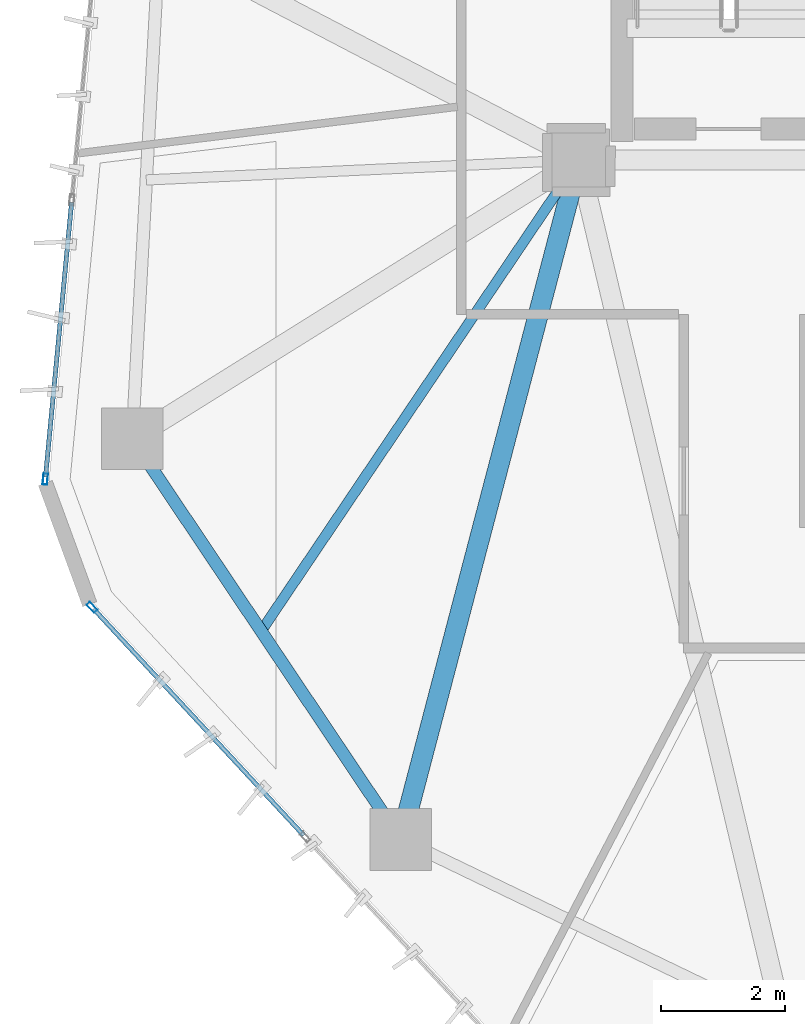
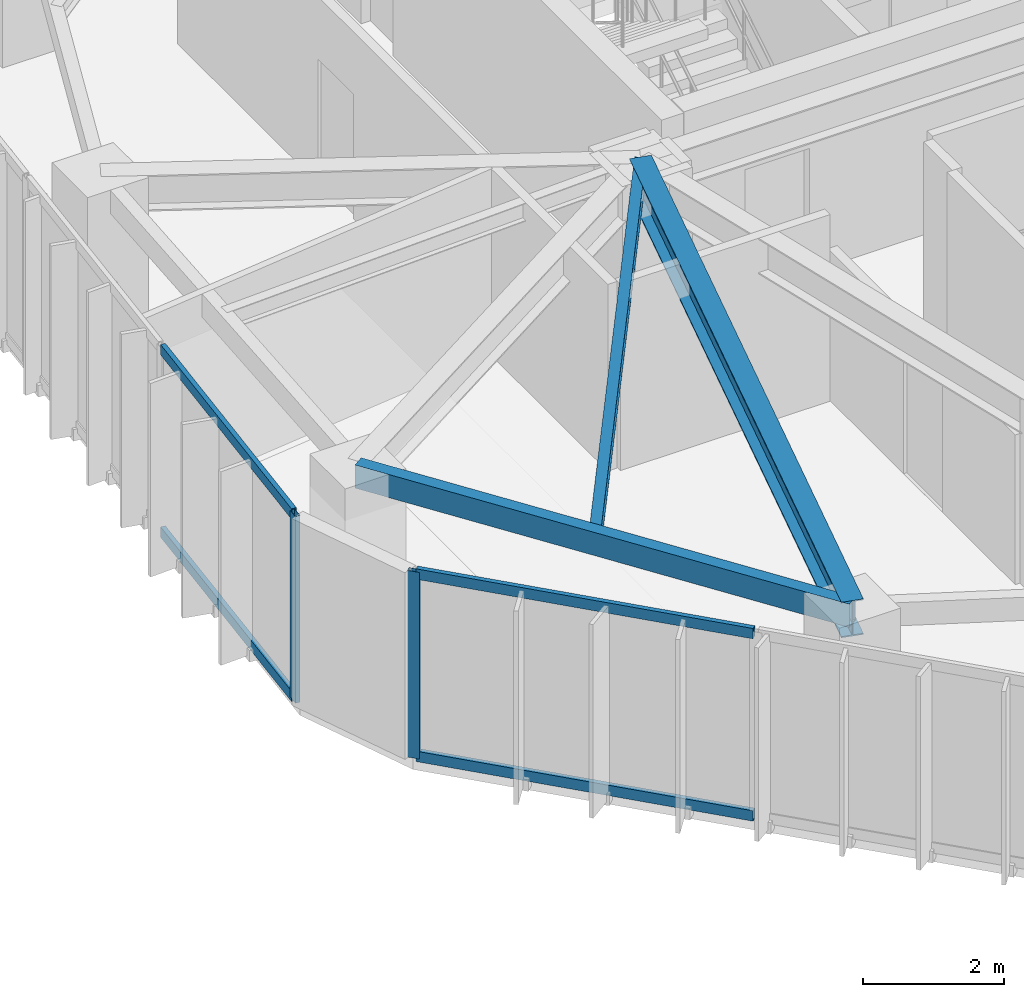
# One storey, part 3 of 20: 6 members, 3 beams, 2 elements without a shape of their own.
"""IFC4 building model written with IfcOpenShell, lengths in metres."""

from ifc_helpers import new_model, si_unit, direction, frame, origin, origin_2d, place, context, subcontext, project, spatial, hollow_rectangle, i_section, extrude, source, transform, mapped, material, layer, layer_set, material_profile, profile_set, type_object, type_shapes, element, aggregate, save


model = new_model("IFC4")

# Units and contexts
model_context = context("Model", 3, precision=1e-05, world=origin(), true_north=direction((0.0, 1.0)))
body_context = subcontext(model_context, "Body", "Model", "MODEL_VIEW")
ifc_project = project(units=[si_unit("LENGTHUNIT", "METRE"), si_unit("AREAUNIT", "SQUARE_METRE"), si_unit("VOLUMEUNIT", "CUBIC_METRE"), si_unit("PLANEANGLEUNIT", "RADIAN"), si_unit("MASSUNIT", "GRAM", prefix="KILO")], contexts=[model_context])

# Site, building, storey
site_placement = place(None, origin())
site = spatial("IfcSite", under=ifc_project, at=site_placement, CompositionType="ELEMENT")
building_placement = place(site_placement, origin())
building = spatial("IfcBuilding", under=site, at=building_placement, Name="Talar Marvaseh", CompositionType="ELEMENT")
storey_placement = place(building_placement, frame((0.0, 0.0, 211.699951171875)))
storey = spatial("IfcBuildingStorey", under=building, at=storey_placement, Name="L55", CompositionType="ELEMENT", Elevation=211.699951171875)

# Beams
ifc_material_1 = material(Name="Steel S355", Category="steel")
ifc_material_profile_1 = material_profile(ifc_material_1, hollow_rectangle(XDim=0.199951171875, YDim=0.39990234375, WallThickness=0.013916015625, at=origin_2d()), Name="RHS400x200x14")
ifc_profile_set_1 = profile_set([ifc_material_profile_1], Name="Steel S355")
beam_type_1 = type_object("IfcBeamType", Name="Zone 3 Perimeter Spandrel Beam RHS400x200x14", PredefinedType="SPANDREL", material=ifc_profile_set_1)
beam_1_placement = place(storey_placement, frame((15.819091796875, 14.5009765625, 3.030029296875), z_axis=(-0.556805579613, 0.830642851358, 0.0), x_axis=(-0.830642851358, -0.556805579613, 0.0)))
element("IfcBeam", 1, at=beam_1_placement, inside=storey, type_object=beam_type_1, Name="L55 Zone 3 Perimeter Spandrel Beam RHS400x200x14", PredefinedType="SPANDREL", context=body_context, shape_type="SweptSolid", body=[
    extrude(hollow_rectangle(XDim=0.199951171875, YDim=0.39990234375, WallThickness=0.013916015625, at=origin_2d()), origin(), (0.0, 0.0, 1.0), 7.807373046875),
])
ifc_material_profile_2 = material_profile(ifc_material_1, i_section(OverallWidth=0.324951171875, OverallDepth=0.615966796875, WebThickness=0.013916015625, FlangeThickness=0.021484375, at=origin_2d()), Name="W610x174")
ifc_profile_set_2 = profile_set([ifc_material_profile_2], Name="Steel S355")
beam_type_2 = type_object("IfcBeamType", Name="Zone 3 Radial Floor Girder W610x174", PredefinedType="BEAM", material=ifc_profile_set_2)
beam_2_placement = place(storey_placement, frame((15.819091796875, 14.5009765625, 2.922119140625), z_axis=(0.253372787776, 0.967368714821, 0.0), x_axis=(-0.967368714821, 0.253372787776, 0.0)))
element("IfcBeam", 2, at=beam_2_placement, inside=storey, type_object=beam_type_2, Name="L55 Zone 3 Radial Floor Girder W610x174", PredefinedType="BEAM", context=body_context, shape_type="SweptSolid", body=[
    extrude(i_section(OverallWidth=0.324951171875, OverallDepth=0.615966796875, WebThickness=0.013916015625, FlangeThickness=0.021484375, at=origin_2d()), origin(), (0.0, 0.0, 1.0), 11.3701171875),
])
ifc_material_profile_3 = material_profile(ifc_material_1, i_section(OverallWidth=0.166015625, OverallDepth=0.31298828125, WebThickness=0.006591796875, FlangeThickness=0.01123046875, at=origin_2d()), Name="W310x45")
ifc_profile_set_3 = profile_set([ifc_material_profile_3], Name="Steel S355")
beam_type_3 = type_object("IfcBeamType", Name="Zone 3 Secondary Floor Joist W310x45", PredefinedType="JOIST", material=ifc_profile_set_3)
beam_3_placement = place(storey_placement, frame((13.55859375, 17.873291015625, 3.073486328125), z_axis=(0.558974483718, 0.829184856683, 0.0), x_axis=(-0.829184856683, 0.558974483718, 0.0)))
element("IfcBeam", 3, at=beam_3_placement, inside=storey, type_object=beam_type_3, Name="L55 Zone 3 Secondary Floor Joist W310x45", PredefinedType="JOIST", context=body_context, shape_type="SweptSolid", body=[
    extrude(i_section(OverallWidth=0.166015625, OverallDepth=0.31298828125, WebThickness=0.006591796875, FlangeThickness=0.01123046875, at=origin_2d()), origin(), (0.0, 0.0, 1.0), 9.19775390625),
])

# Curtain wall, member
ifc_material_2 = material(Name="Architectural Aluminium", Category="aluminium")
ifc_layer = layer(ifc_material_2, 0.18994140625)
ifc_layer_set = layer_set([ifc_layer], Name="Architectural Aluminium")
curtain_wall_type = type_object("IfcCurtainWallType", Name="Unitised Solar Atelier Curtain Wall Z3", PredefinedType="NOTDEFINED", material=ifc_layer_set)
curtain_wall_1_placement = place(storey_placement, origin())
curtain_wall_1 = element("IfcCurtainWall", 4, at=curtain_wall_1_placement, inside=storey, type_object=curtain_wall_type, Name="L55 Unitised Solar Atelier Curtain Wall Z3", PredefinedType="NOTDEFINED")
ifc_material_profile_4 = material_profile(ifc_material_2, hollow_rectangle(XDim=0.074951171875, YDim=0.179931640625, WallThickness=0.0048828125, at=origin_2d()), Name="RHS180x75x5")
ifc_profile_set_4 = profile_set([ifc_material_profile_4], Name="Architectural Aluminium")
member_type_1 = type_object("IfcMemberType", Name="Unitised Curtain Wall Standard Mullion RHS180x75x5", PredefinedType="MULLION", material=ifc_profile_set_4)
shared_shape_1 = source(origin(), body_context, "Body", "SweptSolid", [
    extrude(hollow_rectangle(XDim=0.074951171875, YDim=0.179931640625, WallThickness=0.0048828125, at=origin_2d()), origin(), (0.0, 0.0, 1.0), 3.22998046875),
])
type_shapes(member_type_1, [shared_shape_1])
member_1_placement = place(storey_placement, frame((10.82080078125, 18.260986328125, 0.0), z_axis=(0.0, 0.0, 1.0), x_axis=(-0.733183227185, -0.680031142944, 0.0)))
member_1 = element("IfcMember", 5, at=member_1_placement, type_object=member_type_1, Name="CW-Z3 mullion 4", PredefinedType="MULLION", context=body_context, shape_type="MappedRepresentation", body=[
    mapped(shared_shape_1, transform((0.0, 0.0, 0.0), x_axis=(1.0, 0.0, 0.0), y_axis=(0.0, 1.0, 0.0), z_axis=(0.0, 0.0, 1.0), scale=1.0)),
])

# Curtain wall, members
curtain_wall_2_placement = place(storey_placement, origin())
curtain_wall_2 = element("IfcCurtainWall", 6, at=curtain_wall_2_placement, inside=storey, type_object=curtain_wall_type, Name="L55 Unitised Solar Atelier Curtain Wall Z3", PredefinedType="NOTDEFINED")
member_2_placement = place(storey_placement, frame((10.064453125, 20.333251953125, 0.0), z_axis=(0.0, 0.0, 1.0), x_axis=(-0.995508620386, 0.094670939239, 0.0)))
member_2 = element("IfcMember", 7, at=member_2_placement, type_object=member_type_1, Name="CW-Z3 mullion 1", PredefinedType="MULLION", context=body_context, shape_type="MappedRepresentation", body=[
    mapped(shared_shape_1, transform((0.0, 0.0, 0.0), x_axis=(1.0, 0.0, 0.0), y_axis=(0.0, 1.0, 0.0), z_axis=(0.0, 0.0, 1.0), scale=1.0)),
])
ifc_material_profile_5 = material_profile(ifc_material_2, hollow_rectangle(XDim=0.074951171875, YDim=0.179931640625, WallThickness=0.0048828125, at=origin_2d()), Name="RHS180x75x5")
ifc_profile_set_5 = profile_set([ifc_material_profile_5], Name="Architectural Aluminium")
member_type_2 = type_object("IfcMemberType", Name="Unitised Curtain Wall Transom RHS180x75x5", PredefinedType="USERDEFINED", material=ifc_profile_set_5)
shared_shape_2 = source(origin(), body_context, "Body", "SweptSolid", [
    extrude(hollow_rectangle(XDim=0.074951171875, YDim=0.179931640625, WallThickness=0.0048828125, at=origin_2d()), origin(), (0.0, 0.0, 1.0), 4.46484375),
])
member_3_placement = place(storey_placement, frame((10.068115234375, 20.37060546875, 0.03759765625), z_axis=(0.094651685761, 0.995510451167, 0.0), x_axis=(-0.995510451167, 0.094651685761, 0.0)))
member_3 = element("IfcMember", 8, at=member_3_placement, type_object=member_type_2, Name="CW-Z3 transom 1.1", ObjectType="TRANSOM", PredefinedType="USERDEFINED", context=body_context, shape_type="MappedRepresentation", body=[
    mapped(shared_shape_2, transform((0.0, 0.0, 0.0), x_axis=(1.0, 0.0, 0.0), y_axis=(0.0, 1.0, 0.0), z_axis=(0.0, 0.0, 1.0), scale=1.0)),
])
member_4_placement = place(storey_placement, frame((10.068115234375, 20.37060546875, 3.192626953125), z_axis=(0.094651685761, 0.995510451167, 0.0), x_axis=(-0.995510451167, 0.094651685761, 0.0)))
member_4 = element("IfcMember", 9, at=member_4_placement, type_object=member_type_2, Name="CW-Z3 transom 1.2", ObjectType="TRANSOM", PredefinedType="USERDEFINED", context=body_context, shape_type="MappedRepresentation", body=[
    mapped(shared_shape_2, transform((0.0, 0.0, 0.0), x_axis=(1.0, 0.0, 0.0), y_axis=(0.0, 1.0, 0.0), z_axis=(0.0, 0.0, 1.0), scale=1.0)),
])
aggregate(curtain_wall_2, [member_2, member_3, member_4])

# Member
shared_shape_3 = source(origin(), body_context, "Body", "SweptSolid", [
    extrude(hollow_rectangle(XDim=0.074951171875, YDim=0.179931640625, WallThickness=0.0048828125, at=origin_2d()), origin(), (0.0, 0.0, 1.0), 5.00048828125),
])
type_shapes(member_type_2, [shared_shape_2, shared_shape_3])
member_5_placement = place(storey_placement, frame((14.246826171875, 14.567138671875, 0.03759765625), z_axis=(-0.680022133308, 0.733191583565, 0.0), x_axis=(-0.733191583565, -0.680022133308, 0.0)))
member_5 = element("IfcMember", 10, at=member_5_placement, type_object=member_type_2, Name="CW-Z3 transom 3.1", ObjectType="TRANSOM", PredefinedType="USERDEFINED", context=body_context, shape_type="MappedRepresentation", body=[
    mapped(shared_shape_3, transform((0.0, 0.0, 0.0), x_axis=(1.0, 0.0, 0.0), y_axis=(0.0, 1.0, 0.0), z_axis=(0.0, 0.0, 1.0), scale=1.0)),
])

member_6_placement = place(storey_placement, frame((14.246826171875, 14.567138671875, 3.192626953125), z_axis=(-0.680022133308, 0.733191583565, 0.0), x_axis=(-0.733191583565, -0.680022133308, 0.0)))
member_6 = element("IfcMember", 11, at=member_6_placement, type_object=member_type_2, Name="CW-Z3 transom 3.2", ObjectType="TRANSOM", PredefinedType="USERDEFINED", context=body_context, shape_type="MappedRepresentation", body=[
    mapped(shared_shape_3, transform((0.0, 0.0, 0.0), x_axis=(1.0, 0.0, 0.0), y_axis=(0.0, 1.0, 0.0), z_axis=(0.0, 0.0, 1.0), scale=1.0)),
])

aggregate(curtain_wall_1, [member_1, member_5, member_6])

save(model, "model.ifc")
